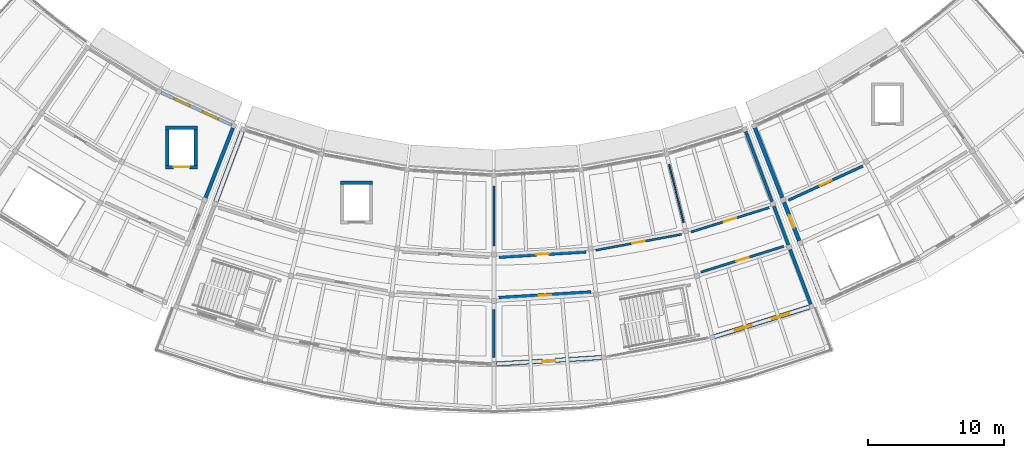
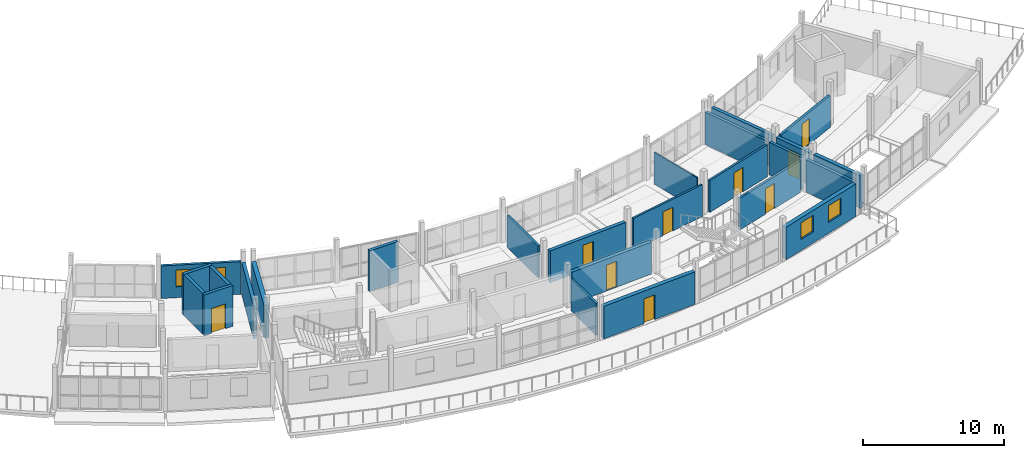
# One storey, part 18 of 24: 25 walls, 9 doors, 4 windows, 13 openings.
"""IFC4 building model written with IfcOpenShell, lengths in metres."""

import ifcopenshell
import ifcopenshell.guid

model = None  # the IFC model being written
_history = None  # IfcOwnerHistory: only IFC2X3 demands one
_inside = {}  # id of a spatial element -> (the spatial element, [elements in it])
_under = {}  # id of a project, library or spatial element -> (it, [spatial elements below it])
_declared = {}  # id of a project -> (the project, [libraries it declares])
_typed = {}  # id of a type object -> (the type object, [elements of that type])
_made_of = {}  # id of a material, layer set ... -> (it, [elements and type objects made of it])


def new_model(schema):
    """Start an empty IFC model of exactly this schema.

    Asked for "IFC4X3", IfcOpenShell would pick the latest addendum, in which some entities
    have other attributes; the version numbers below select the first issue.
    IFC2X3 requires an IfcOwnerHistory on every rooted entity: one is made here for all.
    """
    global model, _history
    if schema == "IFC4X3":
        model = ifcopenshell.file(schema_version=(4, 3, 0, 0))
    else:
        model = ifcopenshell.file(schema=schema)
    _inside.clear()
    _under.clear()
    _declared.clear()
    _typed.clear()
    _made_of.clear()
    _history = None
    if model.schema == "IFC2X3":
        org = make("IfcOrganization", Name="unknown")
        user = make(
            "IfcPersonAndOrganization",
            ThePerson=make("IfcPerson", FamilyName="unknown"),
            TheOrganization=org,
        )
        app = make(
            "IfcApplication",
            ApplicationDeveloper=org,
            Version="unknown",
            ApplicationFullName="unknown",
            ApplicationIdentifier="unknown",
        )
        _history = make(
            "IfcOwnerHistory",
            OwningUser=user,
            OwningApplication=app,
            ChangeAction="ADDED",
            CreationDate=0,
        )
    return model


def make(cls, **values):
    """One entity of the class cls with the attributes given. An attribute that is None is left unset."""
    return model.create_entity(
        cls, **{name: value for name, value in values.items() if value is not None}
    )


def rooted(cls, **values):
    """An entity with a GlobalId (a new one), such as an element, a storey or a relation."""
    return make(cls, GlobalId=ifcopenshell.guid.new(), OwnerHistory=_history, **values)


def si_unit(unit_type, name, prefix=None):
    """IfcSIUnit, for example si_unit("LENGTHUNIT", "METRE", prefix="MILLI")."""
    return make("IfcSIUnit", UnitType=unit_type, Prefix=prefix, Name=name)


def assignment(units):
    """IfcUnitAssignment: the units of a project."""
    return None if units is None else make("IfcUnitAssignment", Units=units)


def point(xyz):
    """IfcCartesianPoint."""
    return None if xyz is None else make("IfcCartesianPoint", Coordinates=xyz)


def direction(xyz):
    """IfcDirection."""
    return None if xyz is None else make("IfcDirection", DirectionRatios=xyz)


def frame(location, z_axis=None, x_axis=None):
    """IfcAxis2Placement3D, a coordinate frame: its origin and axes. An axis left out is left unset."""
    return make(
        "IfcAxis2Placement3D",
        Location=point(location),
        Axis=direction(z_axis),
        RefDirection=direction(x_axis),
    )


def frame_2d(location, x_axis=None):
    """IfcAxis2Placement2D, a coordinate frame in the plane: its origin and x axis."""
    return make(
        "IfcAxis2Placement2D", Location=point(location), RefDirection=direction(x_axis)
    )


def origin():
    """The frame at (0, 0, 0) with its axes left unset."""
    return frame((0.0, 0.0, 0.0))


def place(relative_to, where):
    """IfcLocalPlacement: puts the frame where relative to a parent placement (None: the world)."""
    return make(
        "IfcLocalPlacement", PlacementRelTo=relative_to, RelativePlacement=where
    )


def context(
    kind, dimensions, precision=None, world=None, true_north=None, identifier=None
):
    """IfcGeometricRepresentationContext, for example the 3D "Model" context."""
    return make(
        "IfcGeometricRepresentationContext",
        ContextIdentifier=identifier,
        ContextType=kind,
        CoordinateSpaceDimension=dimensions,
        Precision=precision,
        WorldCoordinateSystem=world,
        TrueNorth=true_north,
    )


def subcontext(parent, identifier, kind, view, scale=None):
    """IfcGeometricRepresentationSubContext, for example "Body" below "Model"."""
    return make(
        "IfcGeometricRepresentationSubContext",
        ContextIdentifier=identifier,
        ContextType=kind,
        ParentContext=parent,
        TargetScale=scale,
        TargetView=view,
    )


def project(units=None, contexts=None):
    """IfcProject with its units and contexts."""
    return rooted(
        "IfcProject",
        Name="project",
        RepresentationContexts=contexts,
        UnitsInContext=assignment(units),
    )


def spatial(cls, under=None, at=None, **own):
    """A site, building, storey or space (cls), placed at a placement, below another one or the project."""
    s = rooted(cls, ObjectPlacement=at, **own)
    if under is not None:
        _under.setdefault(under.id(), (under, []))[1].append(s)
    return s


def profile(cls, at=None, kind="AREA", **sizes):
    """A parametric profile (cls). Its sizes go by their IFC names, for example OverallWidth=200.0."""
    return make(cls, ProfileType=kind, Position=at, **sizes)


def rectangle(**sizes):
    """IfcRectangleProfileDef."""
    return profile("IfcRectangleProfileDef", **sizes)


def extrude(swept, where, along, depth):
    """IfcExtrudedAreaSolid: the profile swept, set in the frame where, extruded along a direction by depth."""
    return make(
        "IfcExtrudedAreaSolid",
        SweptArea=swept,
        Position=where,
        ExtrudedDirection=direction(along),
        Depth=depth,
    )


def shape(context_of_items, identifier, shape_type, items):
    """IfcShapeRepresentation: the items that make up one representation, for example the "Body"."""
    return make(
        "IfcShapeRepresentation",
        ContextOfItems=context_of_items,
        RepresentationIdentifier=identifier,
        RepresentationType=shape_type,
        Items=items,
    )


def material(Name=None, Category=None):
    """IfcMaterial."""
    return make("IfcMaterial", Name=Name, Category=Category)


def layer(
    of_material, thickness, ventilated=None, Name=None, Category=None, Priority=None
):
    """IfcMaterialLayer: one layer of a wall or slab, of a material (None: an air gap)."""
    return make(
        "IfcMaterialLayer",
        Material=of_material,
        LayerThickness=thickness,
        IsVentilated=ventilated,
        Name=Name,
        Category=Category,
        Priority=Priority,
    )


def layer_set(layers, Name=None):
    """IfcMaterialLayerSet."""
    return make("IfcMaterialLayerSet", MaterialLayers=layers, LayerSetName=Name)


def made_of(thing, what):
    """Note that an element or type object is made of a material, layer set ...; save() writes the relation."""
    if what is not None:
        _made_of.setdefault(what.id(), (what, []))[1].append(thing)
    return thing


def type_object(cls, material=None, **own):
    """A type object (cls), such as IfcWallType, which elements share."""
    return made_of(rooted(cls, **own), material)


def element(
    cls,
    number,
    at=None,
    inside=None,
    cuts=None,
    type_object=None,
    material=None,
    context=None,
    identifier="Body",
    shape_type=None,
    held_by="IfcProductDefinitionShape",
    body=None,
    shapes=None,
    **own,
):
    """One element of the class cls, such as IfcWall. Its Tag is "e" and its number.

    at: its placement. inside: the storey or other place that contains it. cuts: it is an
    opening in that element (IfcRelVoidsElement). A single representation is given by context,
    identifier, shape_type and body (its items); several are given by shapes. held_by: the class
    of the entity that holds the representations. save() writes the other relations.
    """
    e = rooted(cls, Tag="e%d" % number, ObjectPlacement=at, **own)
    if body is not None:
        shapes = [shape(context, identifier, shape_type, body)]
    if shapes is not None:
        e.Representation = make(held_by, Representations=shapes)
    if inside is not None:
        _inside.setdefault(inside.id(), (inside, []))[1].append(e)
    if cuts is not None:
        rooted(
            "IfcRelVoidsElement", RelatingBuildingElement=cuts, RelatedOpeningElement=e
        )
    if type_object is not None:
        _typed.setdefault(type_object.id(), (type_object, []))[1].append(e)
    return made_of(e, material)


def fill(opening, filler):
    """IfcRelFillsElement: the door or window that sits in an opening."""
    return rooted(
        "IfcRelFillsElement",
        RelatingOpeningElement=opening,
        RelatedBuildingElement=filler,
    )


def aggregate(whole, parts):
    """IfcRelAggregates: a whole, such as a stair, and the parts it consists of."""
    return rooted("IfcRelAggregates", RelatingObject=whole, RelatedObjects=parts)


def save(model, path):
    """Write the relations noted so far, then the file.

    IfcRelAggregates (storeys below a building ...), IfcRelContainedInSpatialStructure (elements
    in a storey), IfcRelDefinesByType, IfcRelAssociatesMaterial and IfcRelDeclares: one each for
    every whole, place, type object, material and project.
    """
    for whole, parts in _under.values():
        aggregate(whole, parts)
    for where, things in _inside.values():
        rooted(
            "IfcRelContainedInSpatialStructure",
            RelatedElements=things,
            RelatingStructure=where,
        )
    for kind, things in _typed.values():
        rooted("IfcRelDefinesByType", RelatedObjects=things, RelatingType=kind)
    for what, things in _made_of.values():
        rooted("IfcRelAssociatesMaterial", RelatedObjects=things, RelatingMaterial=what)
    for by, libraries in _declared.values():
        rooted("IfcRelDeclares", RelatingContext=by, RelatedDefinitions=libraries)
    model.write(path)


model = new_model("IFC4")

# Units and contexts
model_context = context("Model", 3, precision=1e-05, world=origin(), true_north=direction((0.0, 1.0)))
body_context = subcontext(model_context, "Body", "Model", "MODEL_VIEW")
ifc_project = project(units=[si_unit("LENGTHUNIT", "METRE"), si_unit("AREAUNIT", "SQUARE_METRE"), si_unit("VOLUMEUNIT", "CUBIC_METRE"), si_unit("PLANEANGLEUNIT", "RADIAN"), si_unit("MASSUNIT", "GRAM", prefix="KILO")], contexts=[model_context])

# Site, building, storey
site_placement = place(None, origin())
site = spatial("IfcSite", under=ifc_project, at=site_placement, CompositionType="ELEMENT")
building_placement = place(site_placement, origin())
building = spatial("IfcBuilding", under=site, at=building_placement, Name="Caldaven Crescent School", CompositionType="ELEMENT")
storey_placement = place(building_placement, frame((0.0, 0.0, 15.639892578125)))
storey = spatial("IfcBuildingStorey", under=building, at=storey_placement, Name="L04", CompositionType="ELEMENT", Elevation=15.639892578125)

# Wall
ifc_material_1 = material(Name="Concrete C35/45", Category="concrete")
ifc_layer_1 = layer(ifc_material_1, 0.300048828125)
ifc_layer_set_1 = layer_set([ifc_layer_1], Name="Concrete C35/45")
wall_type_1 = type_object("IfcWallType", Name="WAL-CW1", PredefinedType="SHEAR", material=ifc_layer_set_1)
wall_1_placement = place(storey_placement, frame((63.85107421875, 47.0380859375, 0.0), z_axis=(0.0, 0.0, 1.0), x_axis=(1.0, 0.0, 0.0)))
element("IfcWall", 1, at=wall_1_placement, inside=storey, type_object=wall_type_1, Name="CW-LF4-L04-N", PredefinedType="SHEAR", context=body_context, shape_type="SweptSolid", body=[
    extrude(rectangle(XDim=2.349853515625, YDim=0.25, at=frame_2d((1.1748046875, 0.0))), origin(), (0.0, 0.0, 1.0), 3.530029296875),
])

# Wall, opening, door
wall_2_placement = place(storey_placement, frame((63.85107421875, 44.13818359375, 0.0), z_axis=(0.0, 0.0, 1.0), x_axis=(1.0, 0.0, 0.0)))
wall_2 = element("IfcWall", 2, at=wall_2_placement, inside=storey, type_object=wall_type_1, Name="CW-LF4-L04-S", PredefinedType="SHEAR", context=body_context, shape_type="SweptSolid", body=[
    extrude(rectangle(XDim=2.349853515625, YDim=0.25, at=frame_2d((1.1748046875, 0.0))), origin(), (0.0, 0.0, 1.0), 3.530029296875),
])
opening_1_placement = place(wall_2_placement, frame((0.60009765625, 0.0, 0.0)))
opening_1 = element("IfcOpeningElement", 3, at=opening_1_placement, cuts=wall_2, Name="Opening LD-LF4-L04", PredefinedType="OPENING", context=body_context, shape_type="SweptSolid", body=[
    extrude(rectangle(XDim=1.14990234375, YDim=2.14990234375, at=frame_2d((0.574951171875, 1.074951171875))), frame((0.0, 0.135009765625, 0.0), z_axis=(0.0, -1.0, 0.0), x_axis=(1.0, 0.0, 0.0)), (0.0, 0.0, 1.0), 0.27001953125),
])
ifc_material_2 = material(Name="Brushed stainless-steel automatic telescopic landing door", Category="steel")
door_type_1 = type_object("IfcDoorType", Name="DOR-LD02", OperationType="DOUBLE_DOOR_SLIDING", PredefinedType="DOOR", material=ifc_material_2)
door_1_placement = place(opening_1_placement, origin())
door_1 = element("IfcDoor", 4, at=door_1_placement, inside=storey, type_object=door_type_1, Name="DOR-LD-LF4-L04", OperationType="DOUBLE_DOOR_SLIDING", OverallHeight=2.14990234375, OverallWidth=1.14990234375, PredefinedType="DOOR", context=body_context, shape_type="SweptSolid", body=[
    extrude(rectangle(XDim=1.14990234375, YDim=2.14990234375, at=frame_2d((0.574951171875, 1.074951171875))), frame((0.0, 0.02490234375, 0.0), z_axis=(0.0, -1.0, 0.0), x_axis=(1.0, 0.0, 0.0)), (0.0, 0.0, 1.0), 0.050048828125),
])
fill(opening_1, door_1)

# Walls
wall_3_placement = place(storey_placement, frame((76.729248046875, 42.977783203125, 0.0), z_axis=(0.0, 0.0, 1.0), x_axis=(1.0, 0.0, 0.0)))
element("IfcWall", 5, at=wall_3_placement, inside=storey, type_object=wall_type_1, Name="CW-LF5-L04-N", PredefinedType="SHEAR", context=body_context, shape_type="SweptSolid", body=[
    extrude(rectangle(XDim=2.349853515625, YDim=0.25, at=frame_2d((1.1748046875, 0.0))), origin(), (0.0, 0.0, 1.0), 3.530029296875),
])
ifc_layer_2 = layer(ifc_material_1, 0.25)
ifc_layer_set_2 = layer_set([ifc_layer_2], Name="Concrete C35/45")
wall_type_2 = type_object("IfcWallType", Name="WAL-CW2", PredefinedType="SHEAR", material=ifc_layer_set_2)
for number, where, z_axis, x_axis, name in (
    (6, (63.97607421875, 44.26318359375, 0.0), (0.0, 0.0, 1.0), (0.0, 1.0, 0.0), "CW-LF4-L04-W"),
    (7, (66.075927734375, 44.26318359375, 0.0), (0.0, 0.0, 1.0), (0.0, 1.0, 0.0), "CW-LF4-L04-E"),
):
    element("IfcWall", number, at=place(storey_placement, frame(where, z_axis=z_axis, x_axis=x_axis)), inside=storey, type_object=wall_type_2, Name=name, PredefinedType="SHEAR", context=body_context, shape_type="SweptSolid", body=[
        extrude(rectangle(XDim=2.64990234375, YDim=0.25, at=frame_2d((1.324951171875, 0.0))), origin(), (0.0, 0.0, 1.0), 3.530029296875),
    ])

# Wall, openings, windows
ifc_material_3 = material(Name="Precast concrete C35/45", Category="concrete")
ifc_layer_3 = layer(ifc_material_3, 0.2041015625)
ifc_layer_set_3 = layer_set([ifc_layer_3], Name="Precast concrete C35/45")
wall_type_3 = type_object("IfcWallType", Name="WAL-EW02", PredefinedType="STANDARD", material=ifc_layer_set_3)
wall_4_placement = place(storey_placement, frame((63.52880859375, 49.619140625, 0.0), z_axis=(0.0, 0.0, 1.0), x_axis=(0.908529424461, -0.41782087656, 0.0)))
wall_4 = element("IfcWall", 8, at=wall_4_placement, inside=storey, type_object=wall_type_3, Name="EW-L04-225", PredefinedType="STANDARD", context=body_context, shape_type="SweptSolid", body=[
    extrude(rectangle(XDim=5.70751953125, YDim=0.2041015625, at=frame_2d((2.853759765625, 0.0))), origin(), (0.0, 0.0, 1.0), 2.820068359375),
])
opening_2_placement = place(wall_4_placement, frame((1.089111328125, 0.0, 0.949951171875)))
opening_2 = element("IfcOpeningElement", 9, at=opening_2_placement, cuts=wall_4, Name="Opening W07", PredefinedType="OPENING", context=body_context, shape_type="SweptSolid", body=[
    extrude(rectangle(XDim=1.219970703125, YDim=1.449951171875, at=frame_2d((0.60986328125, 0.72509765625))), frame((0.0, 0.112060546875, 0.0), z_axis=(0.0, -1.0, 0.0), x_axis=(1.0, 0.0, 0.0)), (0.0, 0.0, 1.0), 0.22412109375),
])
opening_3_placement = place(wall_4_placement, frame((3.398193359375, 0.0, 0.949951171875)))
opening_3 = element("IfcOpeningElement", 10, at=opening_3_placement, cuts=wall_4, Name="Opening W07", PredefinedType="OPENING", context=body_context, shape_type="SweptSolid", body=[
    extrude(rectangle(XDim=1.219970703125, YDim=1.449951171875, at=frame_2d((0.60986328125, 0.72509765625))), frame((0.0, 0.112060546875, 0.0), z_axis=(0.0, -1.0, 0.0), x_axis=(1.0, 0.0, 0.0)), (0.0, 0.0, 1.0), 0.22412109375),
])
ifc_material_4 = material(Name="Thermally broken anodised aluminium AA 6063-T6 and low-E double glazing", Category="aluminium")
window_type_1 = type_object("IfcWindowType", Name="WIN-W07", PartitioningType="SINGLE_PANEL", PredefinedType="WINDOW", material=ifc_material_4)
window_1_placement = place(opening_2_placement, origin())
window_1 = element("IfcWindow", 11, at=window_1_placement, inside=storey, type_object=window_type_1, Name="WIN-L04-102-1", OverallHeight=1.449951171875, OverallWidth=1.219970703125, PartitioningType="SINGLE_PANEL", PredefinedType="WINDOW", context=body_context, shape_type="SweptSolid", body=[
    extrude(rectangle(XDim=1.219970703125, YDim=1.449951171875, at=frame_2d((0.60986328125, 0.72509765625))), frame((0.0, 0.030029296875, 0.0), z_axis=(0.0, -1.0, 0.0), x_axis=(1.0, 0.0, 0.0)), (0.0, 0.0, 1.0), 0.06005859375),
])
fill(opening_2, window_1)
window_2_placement = place(opening_3_placement, origin())
window_2 = element("IfcWindow", 12, at=window_2_placement, inside=storey, type_object=window_type_1, Name="WIN-L04-102-2", OverallHeight=1.449951171875, OverallWidth=1.219970703125, PartitioningType="SINGLE_PANEL", PredefinedType="WINDOW", context=body_context, shape_type="SweptSolid", body=[
    extrude(rectangle(XDim=1.219970703125, YDim=1.449951171875, at=frame_2d((0.60986328125, 0.72509765625))), frame((0.0, 0.030029296875, 0.0), z_axis=(0.0, -1.0, 0.0), x_axis=(1.0, 0.0, 0.0)), (0.0, 0.0, 1.0), 0.06005859375),
])
fill(opening_3, window_2)

# Walls
ifc_layer_4 = layer(ifc_material_3, 0.216064453125)
ifc_layer_set_4 = layer_set([ifc_layer_4], Name="Precast concrete C35/45")
wall_type_4 = type_object("IfcWallType", Name="WAL-EW03", PredefinedType="STANDARD", material=ifc_layer_set_4)
wall_5_placement = place(storey_placement, frame((106.517822265625, 46.748291015625, 0.0), z_axis=(0.0, 0.0, 1.0), x_axis=(0.35193583719, -0.936024127094, 0.0)))
element("IfcWall", 13, at=wall_5_placement, inside=storey, type_object=wall_type_4, Name="EW-L04-240", PredefinedType="STANDARD", context=body_context, shape_type="SweptSolid", body=[
    extrude(rectangle(XDim=5.4990234375, YDim=0.216064453125, at=frame_2d((2.74951171875, 0.0))), origin(), (0.0, 0.0, 1.0), 2.820068359375),
])
ifc_layer_5 = layer(ifc_material_3, 0.22802734375)
ifc_layer_set_5 = layer_set([ifc_layer_5], Name="Precast concrete C35/45")
wall_type_5 = type_object("IfcWallType", Name="WAL-EW04", PredefinedType="STANDARD", material=ifc_layer_set_5)
wall_6_placement = place(storey_placement, frame((108.58203125, 41.25830078125, 0.0), z_axis=(0.0, 0.0, 1.0), x_axis=(0.351899369392, -0.936037837815, 0.0)))
element("IfcWall", 14, at=wall_6_placement, inside=storey, type_object=wall_type_5, Name="EW-L04-241", PredefinedType="STANDARD", context=body_context, shape_type="SweptSolid", body=[
    extrude(rectangle(XDim=3.033935546875, YDim=0.22802734375, at=frame_2d((1.51708984375, 0.0))), origin(), (0.0, 0.0, 1.0), 2.820068359375),
])
ifc_layer_6 = layer(ifc_material_3, 0.239990234375)
ifc_layer_set_6 = layer_set([ifc_layer_6], Name="Precast concrete C35/45")
wall_type_6 = type_object("IfcWallType", Name="WAL-EW05", PredefinedType="STANDARD", material=ifc_layer_set_6)
wall_7_placement = place(storey_placement, frame((109.778564453125, 38.075927734375, 0.0), z_axis=(0.0, 0.0, 1.0), x_axis=(0.351932384448, -0.936025425283, 0.0)))
element("IfcWall", 15, at=wall_7_placement, inside=storey, type_object=wall_type_6, Name="EW-L04-242", PredefinedType="STANDARD", context=body_context, shape_type="SweptSolid", body=[
    extrude(rectangle(XDim=4.298828125, YDim=0.239990234375, at=frame_2d((2.1494140625, 0.0))), origin(), (0.0, 0.0, 1.0), 2.820068359375),
])
ifc_layer_7 = layer(ifc_material_3, 0.263916015625)
ifc_layer_set_7 = layer_set([ifc_layer_7], Name="Precast concrete C35/45")
wall_type_7 = type_object("IfcWallType", Name="WAL-EW07", PredefinedType="STANDARD", material=ifc_layer_set_7)
wall_8_placement = place(storey_placement, frame((68.8056640625, 47.0078125, 0.0), z_axis=(0.0, 0.0, 1.0), x_axis=(-0.364806087703, -0.931083518475, 0.0)))
element("IfcWall", 16, at=wall_8_placement, inside=storey, type_object=wall_type_7, Name="EW-L04-230", PredefinedType="STANDARD", context=body_context, shape_type="SweptSolid", body=[
    extrude(rectangle(XDim=5.4990234375, YDim=0.263916015625, at=frame_2d((2.74951171875, 0.0))), origin(), (0.0, 0.0, 1.0), 2.820068359375),
])
ifc_layer_8 = layer(ifc_material_3, 0.27587890625)
ifc_layer_set_8 = layer_set([ifc_layer_8], Name="Precast concrete C35/45")
wall_type_8 = type_object("IfcWallType", Name="WAL-EW08", PredefinedType="STANDARD", material=ifc_layer_set_8)
wall_9_placement = place(storey_placement, frame((107.1943359375, 47.0078125, 0.0), z_axis=(0.0, 0.0, 1.0), x_axis=(0.364806087703, -0.931083518475, 0.0)))
element("IfcWall", 17, at=wall_9_placement, inside=storey, type_object=wall_type_8, Name="EW-L04-245", PredefinedType="STANDARD", context=body_context, shape_type="SweptSolid", body=[
    extrude(rectangle(XDim=5.4990234375, YDim=0.27587890625, at=frame_2d((2.74951171875, 0.0))), origin(), (0.0, 0.0, 1.0), 2.820068359375),
])

# Wall, opening, door
ifc_layer_9 = layer(ifc_material_3, 0.2880859375)
ifc_layer_set_9 = layer_set([ifc_layer_9], Name="Precast concrete C35/45")
wall_type_9 = type_object("IfcWallType", Name="WAL-EW09", PredefinedType="STANDARD", material=ifc_layer_set_9)
wall_10_placement = place(storey_placement, frame((109.333740234375, 41.547119140625, 0.0), z_axis=(0.0, 0.0, 1.0), x_axis=(0.364833166259, -0.931072908422, 0.0)))
wall_10 = element("IfcWall", 18, at=wall_10_placement, inside=storey, type_object=wall_type_9, Name="EW-L04-246", PredefinedType="STANDARD", context=body_context, shape_type="SweptSolid", body=[
    extrude(rectangle(XDim=3.0341796875, YDim=0.2880859375, at=frame_2d((1.51708984375, 0.0))), origin(), (0.0, 0.0, 1.0), 2.820068359375),
])
opening_4_placement = place(wall_10_placement, frame((1.01708984375, 0.0, 0.0)))
opening_4 = element("IfcOpeningElement", 19, at=opening_4_placement, cuts=wall_10, Name="Opening D-L04-E041", PredefinedType="OPENING", context=body_context, shape_type="SweptSolid", body=[
    extrude(rectangle(XDim=1.0, YDim=2.14990234375, at=frame_2d((0.5, 1.074951171875))), frame((0.0, 0.154052734375, 0.0), z_axis=(0.0, -1.0, 0.0), x_axis=(1.0, 0.0, 0.0)), (0.0, 0.0, 1.0), 0.30810546875),
])
ifc_material_5 = material(Name="Thermally broken bronze-anodised aluminium and laminated safety glass", Category="aluminium")
door_type_2 = type_object("IfcDoorType", Name="DOR-EX02", OperationType="NOTDEFINED", PredefinedType="DOOR", material=ifc_material_5)
door_2_placement = place(opening_4_placement, frame((1.0, 0.0, 0.0), z_axis=(0.0, 0.0, 1.0), x_axis=(-1.0, 0.0, 0.0)))
door_2 = element("IfcDoor", 20, at=door_2_placement, inside=storey, type_object=door_type_2, Name="DOR-EXT-L04-041", OperationType="SINGLE_SWING_RIGHT", OverallHeight=2.14990234375, OverallWidth=1.0, PredefinedType="DOOR", context=body_context, shape_type="SweptSolid", body=[
    extrude(rectangle(XDim=1.0, YDim=2.14990234375, at=frame_2d((0.5, 1.074951171875))), frame((0.0, 0.02490234375, 0.0), z_axis=(0.0, -1.0, 0.0), x_axis=(1.0, 0.0, 0.0)), (0.0, 0.0, 1.0), 0.050048828125),
])
fill(opening_4, door_2)

# Wall
ifc_layer_10 = layer(ifc_material_3, 0.300048828125)
ifc_layer_set_10 = layer_set([ifc_layer_10], Name="Precast concrete C35/45")
wall_type_10 = type_object("IfcWallType", Name="WAL-EW10", PredefinedType="STANDARD", material=ifc_layer_set_10)
wall_11_placement = place(storey_placement, frame((110.57421875, 38.38134765625, 0.0), z_axis=(0.0, 0.0, 1.0), x_axis=(0.364771909001, -0.931096909244, 0.0)))
element("IfcWall", 21, at=wall_11_placement, inside=storey, type_object=wall_type_10, Name="EW-L04-247", PredefinedType="STANDARD", context=body_context, shape_type="SweptSolid", body=[
    extrude(rectangle(XDim=4.298828125, YDim=0.300048828125, at=frame_2d((2.1494140625, 0.0))), origin(), (0.0, 0.0, 1.0), 2.820068359375),
])

# Wall, opening, door
ifc_layer_11 = layer(ifc_material_3, 0.323974609375)
ifc_layer_set_11 = layer_set([ifc_layer_11], Name="Precast concrete C35/45")
wall_type_11 = type_object("IfcWallType", Name="WAL-EW12", PredefinedType="STANDARD", material=ifc_layer_set_11)
wall_12_placement = place(storey_placement, frame((88.167724609375, 29.66015625, 0.0), z_axis=(0.0, 0.0, 1.0), x_axis=(0.998134280548, 0.061057006105, 0.0)))
wall_12 = element("IfcWall", 22, at=wall_12_placement, inside=storey, type_object=wall_type_11, Name="EW-L04-235", PredefinedType="STANDARD", context=body_context, shape_type="SweptSolid", body=[
    extrude(rectangle(XDim=7.76513671875, YDim=0.323974609375, at=frame_2d((3.882568359375, 0.0))), origin(), (0.0, 0.0, 1.0), 2.820068359375),
])
opening_5_placement = place(wall_12_placement, frame((3.40771484375, 0.0, 0.0)))
opening_5 = element("IfcOpeningElement", 23, at=opening_5_placement, cuts=wall_12, Name="Opening D-L04-E040", PredefinedType="OPENING", context=body_context, shape_type="SweptSolid", body=[
    extrude(rectangle(XDim=0.949951171875, YDim=2.14990234375, at=frame_2d((0.47509765625, 1.074951171875))), frame((0.0, 0.171875, 0.0), z_axis=(0.0, -1.0, 0.0), x_axis=(1.0, 0.0, 0.0)), (0.0, 0.0, 1.0), 0.343994140625),
])
door_type_3 = type_object("IfcDoorType", Name="DOR-EX01", OperationType="NOTDEFINED", PredefinedType="DOOR", material=ifc_material_5)
door_3_placement = place(opening_5_placement, frame((0.949951171875, 0.0, 0.0), z_axis=(0.0, 0.0, 1.0), x_axis=(-1.0, 0.0, 0.0)))
door_3 = element("IfcDoor", 24, at=door_3_placement, inside=storey, type_object=door_type_3, Name="DOR-EXT-L04-040", OperationType="SINGLE_SWING_LEFT", OverallHeight=2.14990234375, OverallWidth=0.949951171875, PredefinedType="DOOR", context=body_context, shape_type="SweptSolid", body=[
    extrude(rectangle(XDim=0.949951171875, YDim=2.14990234375, at=frame_2d((0.47509765625, 1.074951171875))), frame((0.0, 0.02490234375, 0.0), z_axis=(0.0, -1.0, 0.0), x_axis=(1.0, 0.0, 0.0)), (0.0, 0.0, 1.0), 0.050048828125),
])
fill(opening_5, door_3)

# Wall, openings, windows
ifc_layer_12 = layer(ifc_material_3, 0.3359375)
ifc_layer_set_12 = layer_set([ifc_layer_12], Name="Precast concrete C35/45")
wall_type_12 = type_object("IfcWallType", Name="WAL-EW13", PredefinedType="STANDARD", material=ifc_layer_set_12)
wall_13_placement = place(storey_placement, frame((104.2119140625, 31.6708984375, 0.0), z_axis=(0.0, 0.0, 1.0), x_axis=(0.954747645816, 0.297417102416, 0.0)))
wall_13 = element("IfcWall", 25, at=wall_13_placement, inside=storey, type_object=wall_type_12, Name="EW-L04-236", PredefinedType="STANDARD", context=body_context, shape_type="SweptSolid", body=[
    extrude(rectangle(XDim=7.30908203125, YDim=0.3359375, at=frame_2d((3.654541015625, 0.0))), origin(), (0.0, 0.0, 1.0), 2.820068359375),
])
opening_6_placement = place(wall_13_placement, frame((1.54296875, 0.0, 0.949951171875)))
opening_6 = element("IfcOpeningElement", 26, at=opening_6_placement, cuts=wall_13, Name="Opening W11", PredefinedType="OPENING", context=body_context, shape_type="SweptSolid", body=[
    extrude(rectangle(XDim=1.340087890625, YDim=1.449951171875, at=frame_2d((0.669921875, 0.72509765625))), frame((0.0, 0.177978515625, 0.0), z_axis=(0.0, -1.0, 0.0), x_axis=(1.0, 0.0, 0.0)), (0.0, 0.0, 1.0), 0.35595703125),
])
opening_7_placement = place(wall_13_placement, frame((4.426025390625, 0.0, 0.949951171875)))
opening_7 = element("IfcOpeningElement", 27, at=opening_7_placement, cuts=wall_13, Name="Opening W11", PredefinedType="OPENING", context=body_context, shape_type="SweptSolid", body=[
    extrude(rectangle(XDim=1.340087890625, YDim=1.449951171875, at=frame_2d((0.669921875, 0.72509765625))), frame((0.0, 0.177978515625, 0.0), z_axis=(0.0, -1.0, 0.0), x_axis=(1.0, 0.0, 0.0)), (0.0, 0.0, 1.0), 0.35595703125),
])
window_type_2 = type_object("IfcWindowType", Name="WIN-W11", PartitioningType="SINGLE_PANEL", PredefinedType="WINDOW", material=ifc_material_4)
window_3_placement = place(opening_6_placement, origin())
window_3 = element("IfcWindow", 28, at=window_3_placement, inside=storey, type_object=window_type_2, Name="WIN-L04-106-1", OverallHeight=1.449951171875, OverallWidth=1.340087890625, PartitioningType="SINGLE_PANEL", PredefinedType="WINDOW", context=body_context, shape_type="SweptSolid", body=[
    extrude(rectangle(XDim=1.340087890625, YDim=1.449951171875, at=frame_2d((0.669921875, 0.72509765625))), frame((0.0, 0.030029296875, 0.0), z_axis=(0.0, -1.0, 0.0), x_axis=(1.0, 0.0, 0.0)), (0.0, 0.0, 1.0), 0.06005859375),
])
fill(opening_6, window_3)
window_4_placement = place(opening_7_placement, origin())
window_4 = element("IfcWindow", 29, at=window_4_placement, inside=storey, type_object=window_type_2, Name="WIN-L04-106-2", OverallHeight=1.449951171875, OverallWidth=1.340087890625, PartitioningType="SINGLE_PANEL", PredefinedType="WINDOW", context=body_context, shape_type="SweptSolid", body=[
    extrude(rectangle(XDim=1.340087890625, YDim=1.449951171875, at=frame_2d((0.669921875, 0.72509765625))), frame((0.0, 0.030029296875, 0.0), z_axis=(0.0, -1.0, 0.0), x_axis=(1.0, 0.0, 0.0)), (0.0, 0.0, 1.0), 0.06005859375),
])
fill(opening_7, window_4)

# Wall
ifc_layer_13 = layer(ifc_material_3, 0.347900390625)
ifc_layer_set_13 = layer_set([ifc_layer_13], Name="Precast concrete C35/45")
wall_type_13 = type_object("IfcWallType", Name="WAL-EW14", PredefinedType="STANDARD", material=ifc_layer_set_13)
wall_14_placement = place(storey_placement, frame((69.482177734375, 46.748291015625, 0.0), z_axis=(0.0, 0.0, 1.0), x_axis=(-0.35193583719, -0.936024127094, 0.0)))
element("IfcWall", 30, at=wall_14_placement, inside=storey, type_object=wall_type_13, Name="EW-L04-237", PredefinedType="STANDARD", context=body_context, shape_type="SweptSolid", body=[
    extrude(rectangle(XDim=5.4990234375, YDim=0.347900390625, at=frame_2d((2.74951171875, 0.0))), origin(), (0.0, 0.0, 1.0), 2.820068359375),
])

# Wall, opening, door
ifc_material_6 = material(Name="Acoustic timber-stud and fire-rated gypsum board assembly", Category="wood")
ifc_layer_14 = layer(ifc_material_6, 0.159912109375)
ifc_layer_set_14 = layer_set([ifc_layer_14], Name="Acoustic timber-stud and fire-rated gypsum board assembly")
wall_type_14 = type_object("IfcWallType", Name="WAL-IW01", PredefinedType="STANDARD", material=ifc_layer_set_14)
wall_15_placement = place(storey_placement, frame((95.48095703125, 38.021484375, 0.0), z_axis=(0.0, 0.0, 1.0), x_axis=(0.983257031249, 0.182224066742, 0.0)))
wall_15 = element("IfcWall", 31, at=wall_15_placement, inside=storey, type_object=wall_type_14, Name="IW-L04-0288", PredefinedType="STANDARD", context=body_context, shape_type="SweptSolid", body=[
    extrude(rectangle(XDim=6.420166015625, YDim=0.159912109375, at=frame_2d((3.2099609375, 0.0))), origin(), (0.0, 0.0, 1.0), 2.760009765625),
])
opening_8_placement = place(wall_15_placement, frame((2.739990234375, 0.0, 0.0)))
opening_8 = element("IfcOpeningElement", 32, at=opening_8_placement, cuts=wall_15, Name="Opening D-L04-I208", PredefinedType="OPENING", context=body_context, shape_type="SweptSolid", body=[
    extrude(rectangle(XDim=0.93994140625, YDim=2.06005859375, at=frame_2d((0.469970703125, 1.030029296875))), frame((0.0, 0.08984375, 0.0), z_axis=(0.0, -1.0, 0.0), x_axis=(1.0, 0.0, 0.0)), (0.0, 0.0, 1.0), 0.179931640625),
])
ifc_material_7 = material(Name="Solid-core Pino Radiata acoustic timber leaf in steel frame", Category="steel")
door_type_4 = type_object("IfcDoorType", Name="DOR-ID09", OperationType="NOTDEFINED", PredefinedType="DOOR", material=ifc_material_7)
door_4_placement = place(opening_8_placement, frame((0.93994140625, 0.0, 0.0), z_axis=(0.0, 0.0, 1.0), x_axis=(-1.0, 0.0, 0.0)))
door_4 = element("IfcDoor", 33, at=door_4_placement, inside=storey, type_object=door_type_4, Name="DOR-INT-L04-0208", OperationType="SINGLE_SWING_LEFT", OverallHeight=2.06005859375, OverallWidth=0.93994140625, PredefinedType="DOOR", context=body_context, shape_type="SweptSolid", body=[
    extrude(rectangle(XDim=0.93994140625, YDim=2.06005859375, at=frame_2d((0.469970703125, 1.030029296875))), frame((0.0, 0.02490234375, 0.0), z_axis=(0.0, -1.0, 0.0), x_axis=(1.0, 0.0, 0.0)), (0.0, 0.0, 1.0), 0.050048828125),
])
fill(opening_8, door_4)

ifc_layer_15 = layer(ifc_material_6, 0.169921875)
ifc_layer_set_15 = layer_set([ifc_layer_15], Name="Acoustic timber-stud and fire-rated gypsum board assembly")
wall_type_15 = type_object("IfcWallType", Name="WAL-IW02", PredefinedType="STANDARD", material=ifc_layer_set_15)
wall_16_placement = place(storey_placement, frame((102.4912109375, 39.3642578125, 0.0), z_axis=(0.0, 0.0, 1.0), x_axis=(0.954756741519, 0.297387902451, 0.0)))
wall_16 = element("IfcWall", 34, at=wall_16_placement, inside=storey, type_object=wall_type_15, Name="IW-L04-0289", PredefinedType="STANDARD", context=body_context, shape_type="SweptSolid", body=[
    extrude(rectangle(XDim=6.018310546875, YDim=0.169921875, at=frame_2d((3.00927734375, 0.0))), origin(), (0.0, 0.0, 1.0), 2.760009765625),
])
opening_9_placement = place(wall_16_placement, frame((2.5390625, 0.0, 0.0)))
opening_9 = element("IfcOpeningElement", 35, at=opening_9_placement, cuts=wall_16, Name="Opening D-L04-I209", PredefinedType="OPENING", context=body_context, shape_type="SweptSolid", body=[
    extrude(rectangle(XDim=0.93994140625, YDim=2.1201171875, at=frame_2d((0.469970703125, 1.06005859375))), frame((0.0, 0.094970703125, 0.0), z_axis=(0.0, -1.0, 0.0), x_axis=(1.0, 0.0, 0.0)), (0.0, 0.0, 1.0), 0.18994140625),
])
door_type_5 = type_object("IfcDoorType", Name="DOR-ID10", OperationType="NOTDEFINED", PredefinedType="DOOR", material=ifc_material_7)
door_5_placement = place(opening_9_placement, frame((0.93994140625, 0.0, 0.0), z_axis=(0.0, 0.0, 1.0), x_axis=(-1.0, 0.0, 0.0)))
door_5 = element("IfcDoor", 36, at=door_5_placement, inside=storey, type_object=door_type_5, Name="DOR-INT-L04-0209", OperationType="SINGLE_SWING_RIGHT", OverallHeight=2.1201171875, OverallWidth=0.93994140625, PredefinedType="DOOR", context=body_context, shape_type="SweptSolid", body=[
    extrude(rectangle(XDim=0.93994140625, YDim=2.1201171875, at=frame_2d((0.469970703125, 1.06005859375))), frame((0.0, 0.02490234375, 0.0), z_axis=(0.0, -1.0, 0.0), x_axis=(1.0, 0.0, 0.0)), (0.0, 0.0, 1.0), 0.050048828125),
])
fill(opening_9, door_5)

ifc_layer_16 = layer(ifc_material_6, 0.179931640625)
ifc_layer_set_16 = layer_set([ifc_layer_16], Name="Acoustic timber-stud and fire-rated gypsum board assembly")
wall_type_16 = type_object("IfcWallType", Name="WAL-IW03", PredefinedType="STANDARD", material=ifc_layer_set_16)
wall_17_placement = place(storey_placement, frame((103.226806640625, 36.41455078125, 0.0), z_axis=(0.0, 0.0, 1.0), x_axis=(0.954750390155, 0.297408292585, 0.0)))
wall_17 = element("IfcWall", 37, at=wall_17_placement, inside=storey, type_object=wall_type_16, Name="IW-L04-0290", PredefinedType="STANDARD", context=body_context, shape_type="SweptSolid", body=[
    extrude(rectangle(XDim=6.368408203125, YDim=0.179931640625, at=frame_2d((3.18408203125, 0.0))), origin(), (0.0, 0.0, 1.0), 2.760009765625),
])
opening_10_placement = place(wall_17_placement, frame((2.71435546875, 0.0, 0.0)))
opening_10 = element("IfcOpeningElement", 38, at=opening_10_placement, cuts=wall_17, Name="Opening D-L04-I210", PredefinedType="OPENING", context=body_context, shape_type="SweptSolid", body=[
    extrude(rectangle(XDim=0.93994140625, YDim=2.179931640625, at=frame_2d((0.469970703125, 1.08984375))), frame((0.0, 0.099853515625, 0.0), z_axis=(0.0, -1.0, 0.0), x_axis=(1.0, 0.0, 0.0)), (0.0, 0.0, 1.0), 0.199951171875),
])
door_type_6 = type_object("IfcDoorType", Name="DOR-ID11", OperationType="NOTDEFINED", PredefinedType="DOOR", material=ifc_material_7)
door_6_placement = place(opening_10_placement, origin())
door_6 = element("IfcDoor", 39, at=door_6_placement, inside=storey, type_object=door_type_6, Name="DOR-INT-L04-0210", OperationType="SINGLE_SWING_LEFT", OverallHeight=2.179931640625, OverallWidth=0.93994140625, PredefinedType="DOOR", context=body_context, shape_type="SweptSolid", body=[
    extrude(rectangle(XDim=0.93994140625, YDim=2.179931640625, at=frame_2d((0.469970703125, 1.08984375))), frame((0.0, 0.02490234375, 0.0), z_axis=(0.0, -1.0, 0.0), x_axis=(1.0, 0.0, 0.0)), (0.0, 0.0, 1.0), 0.050048828125),
])
fill(opening_10, door_6)

ifc_layer_17 = layer(ifc_material_6, 0.199951171875)
ifc_layer_set_17 = layer_set([ifc_layer_17], Name="Acoustic timber-stud and fire-rated gypsum board assembly")
wall_type_17 = type_object("IfcWallType", Name="WAL-IW05", PredefinedType="STANDARD", material=ifc_layer_set_17)
wall_18_placement = place(storey_placement, frame((109.659912109375, 41.7001953125, 0.0), z_axis=(0.0, 0.0, 1.0), x_axis=(0.908523717144, 0.417833286595, 0.0)))
wall_18 = element("IfcWall", 40, at=wall_18_placement, inside=storey, type_object=wall_type_17, Name="IW-L04-0292", PredefinedType="STANDARD", context=body_context, shape_type="SweptSolid", body=[
    extrude(rectangle(XDim=6.018310546875, YDim=0.199951171875, at=frame_2d((3.00927734375, 0.0))), origin(), (0.0, 0.0, 1.0), 2.760009765625),
])
opening_11_placement = place(wall_18_placement, frame((2.5390625, 0.0, 0.0)))
opening_11 = element("IfcOpeningElement", 41, at=opening_11_placement, cuts=wall_18, Name="Opening D-L04-I211", PredefinedType="OPENING", context=body_context, shape_type="SweptSolid", body=[
    extrude(rectangle(XDim=0.93994140625, YDim=2.239990234375, at=frame_2d((0.469970703125, 1.1201171875))), frame((0.0, 0.10986328125, 0.0), z_axis=(0.0, -1.0, 0.0), x_axis=(1.0, 0.0, 0.0)), (0.0, 0.0, 1.0), 0.219970703125),
])
door_type_7 = type_object("IfcDoorType", Name="DOR-ID12", OperationType="NOTDEFINED", PredefinedType="DOOR", material=ifc_material_7)
door_7_placement = place(opening_11_placement, frame((0.93994140625, 0.0, 0.0), z_axis=(0.0, 0.0, 1.0), x_axis=(-1.0, 0.0, 0.0)))
door_7 = element("IfcDoor", 42, at=door_7_placement, inside=storey, type_object=door_type_7, Name="DOR-INT-L04-0211", OperationType="SINGLE_SWING_RIGHT", OverallHeight=2.239990234375, OverallWidth=0.93994140625, PredefinedType="DOOR", context=body_context, shape_type="SweptSolid", body=[
    extrude(rectangle(XDim=0.93994140625, YDim=2.239990234375, at=frame_2d((0.469970703125, 1.1201171875))), frame((0.0, 0.02490234375, 0.0), z_axis=(0.0, -1.0, 0.0), x_axis=(1.0, 0.0, 0.0)), (0.0, 0.0, 1.0), 0.050048828125),
])
fill(opening_11, door_7)

ifc_material_8 = material(Name="Autoclaved aerated concrete block masonry G5", Category="masonry")
ifc_layer_18 = layer(ifc_material_8, 0.280029296875)
ifc_layer_set_18 = layer_set([ifc_layer_18], Name="Autoclaved aerated concrete block masonry G5")
wall_type_18 = type_object("IfcWallType", Name="WAL-IW13", PredefinedType="STANDARD", material=ifc_layer_set_18)
wall_19_placement = place(storey_placement, frame((88.359375, 37.5419921875, 0.0), z_axis=(0.0, 0.0, 1.0), x_axis=(0.998135716959, 0.061033519724, 0.0)))
wall_19 = element("IfcWall", 43, at=wall_19_placement, inside=storey, type_object=wall_type_18, Name="IW-L04-0284", PredefinedType="STANDARD", context=body_context, shape_type="SweptSolid", body=[
    extrude(rectangle(XDim=6.420166015625, YDim=0.280029296875, at=frame_2d((3.2099609375, 0.0))), origin(), (0.0, 0.0, 1.0), 2.760009765625),
])
opening_12_placement = place(wall_19_placement, frame((2.760009765625, 0.0, 0.0)))
opening_12 = element("IfcOpeningElement", 44, at=opening_12_placement, cuts=wall_19, Name="Opening D-L04-I206", PredefinedType="OPENING", context=body_context, shape_type="SweptSolid", body=[
    extrude(rectangle(XDim=0.89990234375, YDim=2.179931640625, at=frame_2d((0.449951171875, 1.08984375))), frame((0.0, 0.14990234375, 0.0), z_axis=(0.0, -1.0, 0.0), x_axis=(1.0, 0.0, 0.0)), (0.0, 0.0, 1.0), 0.300048828125),
])
door_type_8 = type_object("IfcDoorType", Name="DOR-ID07", OperationType="NOTDEFINED", PredefinedType="DOOR", material=ifc_material_7)
door_8_placement = place(opening_12_placement, frame((0.89990234375, 0.0, 0.0), z_axis=(0.0, 0.0, 1.0), x_axis=(-1.0, 0.0, 0.0)))
door_8 = element("IfcDoor", 45, at=door_8_placement, inside=storey, type_object=door_type_8, Name="DOR-INT-L04-0206", OperationType="SINGLE_SWING_LEFT", OverallHeight=2.179931640625, OverallWidth=0.89990234375, PredefinedType="DOOR", context=body_context, shape_type="SweptSolid", body=[
    extrude(rectangle(XDim=0.89990234375, YDim=2.179931640625, at=frame_2d((0.449951171875, 1.08984375))), frame((0.0, 0.02490234375, 0.0), z_axis=(0.0, -1.0, 0.0), x_axis=(1.0, 0.0, 0.0)), (0.0, 0.0, 1.0), 0.050048828125),
])
fill(opening_12, door_8)

ifc_layer_19 = layer(ifc_material_8, 0.2900390625)
ifc_layer_set_19 = layer_set([ifc_layer_19], Name="Autoclaved aerated concrete block masonry G5")
wall_type_19 = type_object("IfcWallType", Name="WAL-IW14", PredefinedType="STANDARD", material=ifc_layer_set_19)
wall_20_placement = place(storey_placement, frame((88.359375, 34.501953125, 0.0), z_axis=(0.0, 0.0, 1.0), x_axis=(0.998135326973, 0.061039897184, 0.0)))
wall_20 = element("IfcWall", 46, at=wall_20_placement, inside=storey, type_object=wall_type_19, Name="IW-L04-0285", PredefinedType="STANDARD", context=body_context, shape_type="SweptSolid", body=[
    extrude(rectangle(XDim=6.79150390625, YDim=0.2900390625, at=frame_2d((3.395751953125, 0.0))), origin(), (0.0, 0.0, 1.0), 2.760009765625),
])
opening_13_placement = place(wall_20_placement, frame((2.94580078125, 0.0, 0.0)))
opening_13 = element("IfcOpeningElement", 47, at=opening_13_placement, cuts=wall_20, Name="Opening D-L04-I207", PredefinedType="OPENING", context=body_context, shape_type="SweptSolid", body=[
    extrude(rectangle(XDim=0.89990234375, YDim=2.239990234375, at=frame_2d((0.449951171875, 1.1201171875))), frame((0.0, 0.155029296875, 0.0), z_axis=(0.0, -1.0, 0.0), x_axis=(1.0, 0.0, 0.0)), (0.0, 0.0, 1.0), 0.31005859375),
])
door_type_9 = type_object("IfcDoorType", Name="DOR-ID08", OperationType="NOTDEFINED", PredefinedType="DOOR", material=ifc_material_7)
door_9_placement = place(opening_13_placement, origin())
door_9 = element("IfcDoor", 48, at=door_9_placement, inside=storey, type_object=door_type_9, Name="DOR-INT-L04-0207", OperationType="SINGLE_SWING_RIGHT", OverallHeight=2.239990234375, OverallWidth=0.89990234375, PredefinedType="DOOR", context=body_context, shape_type="SweptSolid", body=[
    extrude(rectangle(XDim=0.89990234375, YDim=2.239990234375, at=frame_2d((0.449951171875, 1.1201171875))), frame((0.0, 0.02490234375, 0.0), z_axis=(0.0, -1.0, 0.0), x_axis=(1.0, 0.0, 0.0)), (0.0, 0.0, 1.0), 0.050048828125),
])
fill(opening_13, door_9)

# Walls
ifc_material_9 = material(Name="Acoustic double-layer gypsum partition on galvanised steel studs", Category="steel")
ifc_layer_20 = layer(ifc_material_9, 0.10400390625)
ifc_layer_set_20 = layer_set([ifc_layer_20], Name="Acoustic double-layer gypsum partition on galvanised steel studs")
wall_type_20 = type_object("IfcWallType", Name="WAL-PT04", PredefinedType="PARTITIONING", material=ifc_layer_set_20)
wall_21_placement = place(storey_placement, frame((100.88232421875, 44.331787109375, 0.0), z_axis=(0.0, 0.0, 1.0), x_axis=(0.241921959033, -0.97029571046, 0.0)))
element("IfcWall", 49, at=wall_21_placement, inside=storey, type_object=wall_type_20, Name="IW-L04-0291", PredefinedType="PARTITIONING", context=body_context, shape_type="SweptSolid", body=[
    extrude(rectangle(XDim=4.39990234375, YDim=0.10400390625, at=frame_2d((2.199951171875, 0.0))), origin(), (0.0, 0.0, 1.0), 2.760009765625),
])
ifc_layer_21 = layer(ifc_material_9, 0.169921875)
ifc_layer_set_21 = layer_set([ifc_layer_21], Name="Acoustic double-layer gypsum partition on galvanised steel studs")
wall_type_21 = type_object("IfcWallType", Name="WAL-PT15", PredefinedType="PARTITIONING", material=ifc_layer_set_21)
wall_22_placement = place(storey_placement, frame((88.0, 42.75, 0.0), z_axis=(0.0, 0.0, 1.0), x_axis=(0.0, -1.0, 0.0)))
element("IfcWall", 50, at=wall_22_placement, inside=storey, type_object=wall_type_21, Name="IW-L04-0286", PredefinedType="PARTITIONING", context=body_context, shape_type="SweptSolid", body=[
    extrude(rectangle(XDim=4.39990234375, YDim=0.169921875, at=frame_2d((2.199951171875, 0.0))), origin(), (0.0, 0.0, 1.0), 2.760009765625),
])
ifc_layer_22 = layer(ifc_material_9, 0.176025390625)
ifc_layer_set_22 = layer_set([ifc_layer_22], Name="Acoustic double-layer gypsum partition on galvanised steel studs")
wall_type_22 = type_object("IfcWallType", Name="WAL-PT16", PredefinedType="PARTITIONING", material=ifc_layer_set_22)
wall_23_placement = place(storey_placement, frame((88.0, 33.64990234375, 0.0), z_axis=(0.0, 0.0, 1.0), x_axis=(0.0, -1.0, 0.0)))
element("IfcWall", 51, at=wall_23_placement, inside=storey, type_object=wall_type_22, Name="IW-L04-0287", PredefinedType="PARTITIONING", context=body_context, shape_type="SweptSolid", body=[
    extrude(rectangle(XDim=3.5, YDim=0.176025390625, at=frame_2d((1.75, 0.0))), origin(), (0.0, 0.0, 1.0), 2.760009765625),
])

save(model, "model.ifc")
